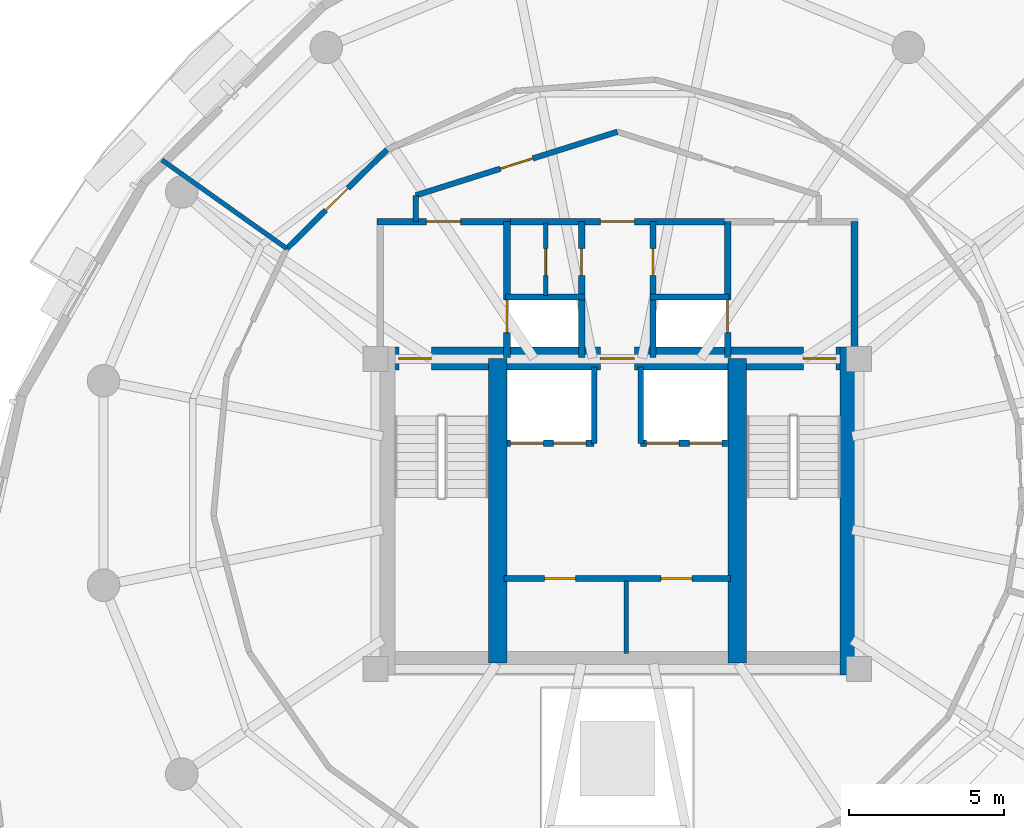
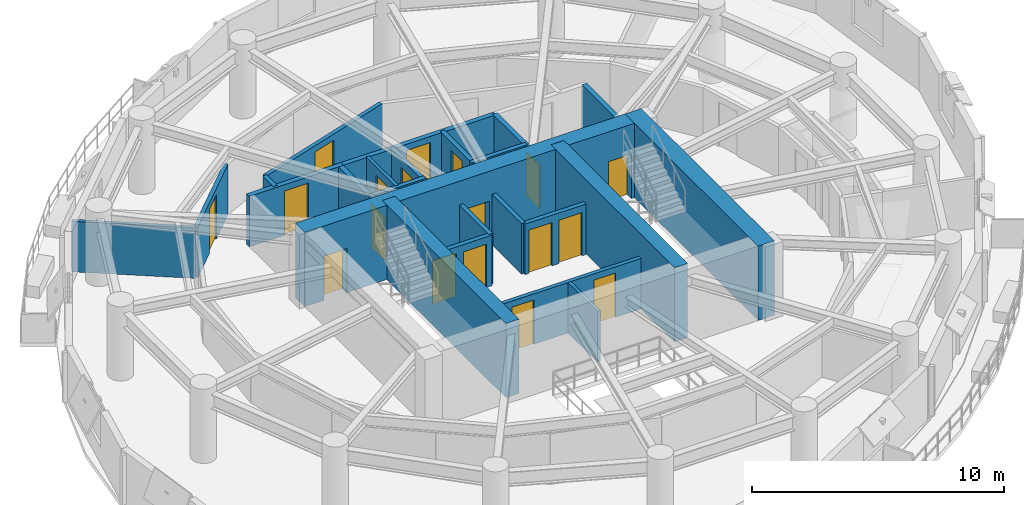
# One storey, part 8 of 12: 24 walls, 18 doors, 18 openings.
"""IFC4 building model written with IfcOpenShell, lengths in metres."""

import ifcopenshell
import ifcopenshell.guid

model = None  # the IFC model being written
_history = None  # IfcOwnerHistory: only IFC2X3 demands one
_inside = {}  # id of a spatial element -> (the spatial element, [elements in it])
_under = {}  # id of a project, library or spatial element -> (it, [spatial elements below it])
_declared = {}  # id of a project -> (the project, [libraries it declares])
_typed = {}  # id of a type object -> (the type object, [elements of that type])
_made_of = {}  # id of a material, layer set ... -> (it, [elements and type objects made of it])


def new_model(schema):
    """Start an empty IFC model of exactly this schema.

    Asked for "IFC4X3", IfcOpenShell would pick the latest addendum, in which some entities
    have other attributes; the version numbers below select the first issue.
    IFC2X3 requires an IfcOwnerHistory on every rooted entity: one is made here for all.
    """
    global model, _history
    if schema == "IFC4X3":
        model = ifcopenshell.file(schema_version=(4, 3, 0, 0))
    else:
        model = ifcopenshell.file(schema=schema)
    _inside.clear()
    _under.clear()
    _declared.clear()
    _typed.clear()
    _made_of.clear()
    _history = None
    if model.schema == "IFC2X3":
        org = make("IfcOrganization", Name="unknown")
        user = make(
            "IfcPersonAndOrganization",
            ThePerson=make("IfcPerson", FamilyName="unknown"),
            TheOrganization=org,
        )
        app = make(
            "IfcApplication",
            ApplicationDeveloper=org,
            Version="unknown",
            ApplicationFullName="unknown",
            ApplicationIdentifier="unknown",
        )
        _history = make(
            "IfcOwnerHistory",
            OwningUser=user,
            OwningApplication=app,
            ChangeAction="ADDED",
            CreationDate=0,
        )
    return model


def make(cls, **values):
    """One entity of the class cls with the attributes given. An attribute that is None is left unset."""
    return model.create_entity(
        cls, **{name: value for name, value in values.items() if value is not None}
    )


def rooted(cls, **values):
    """An entity with a GlobalId (a new one), such as an element, a storey or a relation."""
    return make(cls, GlobalId=ifcopenshell.guid.new(), OwnerHistory=_history, **values)


def si_unit(unit_type, name, prefix=None):
    """IfcSIUnit, for example si_unit("LENGTHUNIT", "METRE", prefix="MILLI")."""
    return make("IfcSIUnit", UnitType=unit_type, Prefix=prefix, Name=name)


def assignment(units):
    """IfcUnitAssignment: the units of a project."""
    return None if units is None else make("IfcUnitAssignment", Units=units)


def point(xyz):
    """IfcCartesianPoint."""
    return None if xyz is None else make("IfcCartesianPoint", Coordinates=xyz)


def direction(xyz):
    """IfcDirection."""
    return None if xyz is None else make("IfcDirection", DirectionRatios=xyz)


def frame(location, z_axis=None, x_axis=None):
    """IfcAxis2Placement3D, a coordinate frame: its origin and axes. An axis left out is left unset."""
    return make(
        "IfcAxis2Placement3D",
        Location=point(location),
        Axis=direction(z_axis),
        RefDirection=direction(x_axis),
    )


def frame_2d(location, x_axis=None):
    """IfcAxis2Placement2D, a coordinate frame in the plane: its origin and x axis."""
    return make(
        "IfcAxis2Placement2D", Location=point(location), RefDirection=direction(x_axis)
    )


def origin():
    """The frame at (0, 0, 0) with its axes left unset."""
    return frame((0.0, 0.0, 0.0))


def place(relative_to, where):
    """IfcLocalPlacement: puts the frame where relative to a parent placement (None: the world)."""
    return make(
        "IfcLocalPlacement", PlacementRelTo=relative_to, RelativePlacement=where
    )


def context(
    kind, dimensions, precision=None, world=None, true_north=None, identifier=None
):
    """IfcGeometricRepresentationContext, for example the 3D "Model" context."""
    return make(
        "IfcGeometricRepresentationContext",
        ContextIdentifier=identifier,
        ContextType=kind,
        CoordinateSpaceDimension=dimensions,
        Precision=precision,
        WorldCoordinateSystem=world,
        TrueNorth=true_north,
    )


def subcontext(parent, identifier, kind, view, scale=None):
    """IfcGeometricRepresentationSubContext, for example "Body" below "Model"."""
    return make(
        "IfcGeometricRepresentationSubContext",
        ContextIdentifier=identifier,
        ContextType=kind,
        ParentContext=parent,
        TargetScale=scale,
        TargetView=view,
    )


def project(units=None, contexts=None):
    """IfcProject with its units and contexts."""
    return rooted(
        "IfcProject",
        Name="project",
        RepresentationContexts=contexts,
        UnitsInContext=assignment(units),
    )


def spatial(cls, under=None, at=None, **own):
    """A site, building, storey or space (cls), placed at a placement, below another one or the project."""
    s = rooted(cls, ObjectPlacement=at, **own)
    if under is not None:
        _under.setdefault(under.id(), (under, []))[1].append(s)
    return s


def profile(cls, at=None, kind="AREA", **sizes):
    """A parametric profile (cls). Its sizes go by their IFC names, for example OverallWidth=200.0."""
    return make(cls, ProfileType=kind, Position=at, **sizes)


def rectangle(**sizes):
    """IfcRectangleProfileDef."""
    return profile("IfcRectangleProfileDef", **sizes)


def extrude(swept, where, along, depth):
    """IfcExtrudedAreaSolid: the profile swept, set in the frame where, extruded along a direction by depth."""
    return make(
        "IfcExtrudedAreaSolid",
        SweptArea=swept,
        Position=where,
        ExtrudedDirection=direction(along),
        Depth=depth,
    )


def shape(context_of_items, identifier, shape_type, items):
    """IfcShapeRepresentation: the items that make up one representation, for example the "Body"."""
    return make(
        "IfcShapeRepresentation",
        ContextOfItems=context_of_items,
        RepresentationIdentifier=identifier,
        RepresentationType=shape_type,
        Items=items,
    )


def material(Name=None, Category=None):
    """IfcMaterial."""
    return make("IfcMaterial", Name=Name, Category=Category)


def layer(
    of_material, thickness, ventilated=None, Name=None, Category=None, Priority=None
):
    """IfcMaterialLayer: one layer of a wall or slab, of a material (None: an air gap)."""
    return make(
        "IfcMaterialLayer",
        Material=of_material,
        LayerThickness=thickness,
        IsVentilated=ventilated,
        Name=Name,
        Category=Category,
        Priority=Priority,
    )


def layer_set(layers, Name=None):
    """IfcMaterialLayerSet."""
    return make("IfcMaterialLayerSet", MaterialLayers=layers, LayerSetName=Name)


def made_of(thing, what):
    """Note that an element or type object is made of a material, layer set ...; save() writes the relation."""
    if what is not None:
        _made_of.setdefault(what.id(), (what, []))[1].append(thing)
    return thing


def type_object(cls, material=None, **own):
    """A type object (cls), such as IfcWallType, which elements share."""
    return made_of(rooted(cls, **own), material)


def element(
    cls,
    number,
    at=None,
    inside=None,
    cuts=None,
    type_object=None,
    material=None,
    context=None,
    identifier="Body",
    shape_type=None,
    held_by="IfcProductDefinitionShape",
    body=None,
    shapes=None,
    **own,
):
    """One element of the class cls, such as IfcWall. Its Tag is "e" and its number.

    at: its placement. inside: the storey or other place that contains it. cuts: it is an
    opening in that element (IfcRelVoidsElement). A single representation is given by context,
    identifier, shape_type and body (its items); several are given by shapes. held_by: the class
    of the entity that holds the representations. save() writes the other relations.
    """
    e = rooted(cls, Tag="e%d" % number, ObjectPlacement=at, **own)
    if body is not None:
        shapes = [shape(context, identifier, shape_type, body)]
    if shapes is not None:
        e.Representation = make(held_by, Representations=shapes)
    if inside is not None:
        _inside.setdefault(inside.id(), (inside, []))[1].append(e)
    if cuts is not None:
        rooted(
            "IfcRelVoidsElement", RelatingBuildingElement=cuts, RelatedOpeningElement=e
        )
    if type_object is not None:
        _typed.setdefault(type_object.id(), (type_object, []))[1].append(e)
    return made_of(e, material)


def fill(opening, filler):
    """IfcRelFillsElement: the door or window that sits in an opening."""
    return rooted(
        "IfcRelFillsElement",
        RelatingOpeningElement=opening,
        RelatedBuildingElement=filler,
    )


def aggregate(whole, parts):
    """IfcRelAggregates: a whole, such as a stair, and the parts it consists of."""
    return rooted("IfcRelAggregates", RelatingObject=whole, RelatedObjects=parts)


def save(model, path):
    """Write the relations noted so far, then the file.

    IfcRelAggregates (storeys below a building ...), IfcRelContainedInSpatialStructure (elements
    in a storey), IfcRelDefinesByType, IfcRelAssociatesMaterial and IfcRelDeclares: one each for
    every whole, place, type object, material and project.
    """
    for whole, parts in _under.values():
        aggregate(whole, parts)
    for where, things in _inside.values():
        rooted(
            "IfcRelContainedInSpatialStructure",
            RelatedElements=things,
            RelatingStructure=where,
        )
    for kind, things in _typed.values():
        rooted("IfcRelDefinesByType", RelatedObjects=things, RelatingType=kind)
    for what, things in _made_of.values():
        rooted("IfcRelAssociatesMaterial", RelatedObjects=things, RelatingMaterial=what)
    for by, libraries in _declared.values():
        rooted("IfcRelDeclares", RelatingContext=by, RelatedDefinitions=libraries)
    model.write(path)


model = new_model("IFC4")

# Units and contexts
model_context = context("Model", 3, precision=1e-05, world=origin(), true_north=direction((0.0, 1.0)))
body_context = subcontext(model_context, "Body", "Model", "MODEL_VIEW")
ifc_project = project(units=[si_unit("LENGTHUNIT", "METRE"), si_unit("AREAUNIT", "SQUARE_METRE"), si_unit("VOLUMEUNIT", "CUBIC_METRE"), si_unit("PLANEANGLEUNIT", "RADIAN"), si_unit("MASSUNIT", "GRAM", prefix="KILO"), si_unit("THERMODYNAMICTEMPERATUREUNIT", "KELVIN"), si_unit("POWERUNIT", "WATT")], contexts=[model_context])

# Site, building, storey
site_placement = place(None, origin())
site = spatial("IfcSite", under=ifc_project, at=site_placement, CompositionType="ELEMENT")
building_placement = place(site_placement, origin())
building = spatial("IfcBuilding", under=site, at=building_placement, Name="Ocrelia Relay Tower", CompositionType="ELEMENT")
storey_placement = place(building_placement, frame((0.0, 0.0, 216.800048828125)))
storey = spatial("IfcBuildingStorey", under=building, at=storey_placement, Name="L53", CompositionType="ELEMENT", Elevation=216.800048828125)

# Wall, openings, doors
ifc_material_1 = material(Name="Concrete C60/75", Category="concrete")
ifc_layer_1 = layer(ifc_material_1, 0.75, Name="Concrete C60/75")
ifc_layer_set_1 = layer_set([ifc_layer_1], Name="Concrete C60/75")
wall_type_1 = type_object("IfcWallType", Name="CW-CORE-750", PredefinedType="SHEAR", material=ifc_layer_set_1)
wall_1_placement = place(storey_placement, frame((26.072021484375, 30.012939453125, 0.0), z_axis=(0.0, 0.0, 1.0), x_axis=(1.0, 0.0, 0.0)))
wall_1 = element("IfcWall", 1, at=wall_1_placement, inside=storey, type_object=wall_type_1, Name="L53 Core Shear Wall N", PredefinedType="SHEAR", context=body_context, shape_type="SweptSolid", body=[
    extrude(rectangle(XDim=15.865966796875, YDim=0.75, at=frame_2d((7.93310546875, 0.0))), origin(), (0.0, 0.0, 1.0), 3.599853515625),
])
opening_1_placement = place(wall_1_placement, frame((0.8779296875, 0.0, 0.0)))
opening_1 = element("IfcOpeningElement", 2, at=opening_1_placement, cuts=wall_1, Name="Opening D-FD90", PredefinedType="OPENING", context=body_context, shape_type="SweptSolid", body=[
    extrude(rectangle(XDim=1.050048828125, YDim=2.14990234375, at=frame_2d((0.52490234375, 1.074951171875))), frame((0.0, 0.385009765625, 0.0), z_axis=(0.0, -1.0, 0.0), x_axis=(1.0, 0.0, 0.0)), (0.0, 0.0, 1.0), 0.77001953125),
])
opening_2_placement = place(wall_1_placement, frame((13.927978515625, 0.0, 0.0)))
opening_2 = element("IfcOpeningElement", 3, at=opening_2_placement, cuts=wall_1, Name="Opening D-FD90", PredefinedType="OPENING", context=body_context, shape_type="SweptSolid", body=[
    extrude(rectangle(XDim=1.050048828125, YDim=2.14990234375, at=frame_2d((0.52490234375, 1.074951171875))), frame((0.0, 0.385009765625, 0.0), z_axis=(0.0, -1.0, 0.0), x_axis=(1.0, 0.0, 0.0)), (0.0, 0.0, 1.0), 0.77001953125),
])
opening_3_placement = place(wall_1_placement, frame((7.3779296875, 0.0, 0.0)))
opening_3 = element("IfcOpeningElement", 4, at=opening_3_placement, cuts=wall_1, Name="Opening D-FD60", PredefinedType="OPENING", context=body_context, shape_type="SweptSolid", body=[
    extrude(rectangle(XDim=1.10009765625, YDim=2.14990234375, at=frame_2d((0.550048828125, 1.074951171875))), frame((0.0, 0.385009765625, 0.0), z_axis=(0.0, -1.0, 0.0), x_axis=(1.0, 0.0, 0.0)), (0.0, 0.0, 1.0), 0.77001953125),
])
ifc_material_2 = material(Name="Timber-core 60-min acoustic fire door", Category="wood")
door_type_1 = type_object("IfcDoorType", Name="DR-LOBBY-FD60-1100", OperationType="NOTDEFINED", PredefinedType="DOOR", material=ifc_material_2)
door_1_placement = place(opening_3_placement, origin())
door_1 = element("IfcDoor", 5, at=door_1_placement, inside=storey, type_object=door_type_1, Name="L53 Core Lift Lobby North Fire Door", OperationType="SINGLE_SWING_LEFT", OverallHeight=2.14990234375, OverallWidth=1.10009765625, PredefinedType="DOOR", context=body_context, shape_type="SweptSolid", body=[
    extrude(rectangle(XDim=1.10009765625, YDim=2.14990234375, at=frame_2d((0.550048828125, 1.074951171875))), frame((0.0, 0.02490234375, 0.0), z_axis=(0.0, -1.0, 0.0), x_axis=(1.0, 0.0, 0.0)), (0.0, 0.0, 1.0), 0.050048828125),
])
fill(opening_3, door_1)
ifc_material_3 = material(Name="Steel S355 90-min fire door", Category="steel")
door_type_2 = type_object("IfcDoorType", Name="DR-STAIR-FD90-1050", OperationType="NOTDEFINED", PredefinedType="DOOR", material=ifc_material_3)
door_2_placement = place(opening_1_placement, origin())
door_2 = element("IfcDoor", 6, at=door_2_placement, inside=storey, type_object=door_type_2, Name="L53 Stair ST1 Fire Door", OperationType="SINGLE_SWING_LEFT", OverallHeight=2.14990234375, OverallWidth=1.050048828125, PredefinedType="DOOR", context=body_context, shape_type="SweptSolid", body=[
    extrude(rectangle(XDim=1.050048828125, YDim=2.14990234375, at=frame_2d((0.52490234375, 1.074951171875))), frame((0.0, 0.02490234375, 0.0), z_axis=(0.0, -1.0, 0.0), x_axis=(1.0, 0.0, 0.0)), (0.0, 0.0, 1.0), 0.050048828125),
])
fill(opening_1, door_2)
door_3_placement = place(opening_2_placement, origin())
door_3 = element("IfcDoor", 7, at=door_3_placement, inside=storey, type_object=door_type_2, Name="L53 Stair ST2 Fire Door", OperationType="SINGLE_SWING_RIGHT", OverallHeight=2.14990234375, OverallWidth=1.050048828125, PredefinedType="DOOR", context=body_context, shape_type="SweptSolid", body=[
    extrude(rectangle(XDim=1.050048828125, YDim=2.14990234375, at=frame_2d((0.52490234375, 1.074951171875))), frame((0.0, 0.02490234375, 0.0), z_axis=(0.0, -1.0, 0.0), x_axis=(1.0, 0.0, 0.0)), (0.0, 0.0, 1.0), 0.050048828125),
])
fill(opening_2, door_3)

# Walls
wall_2_placement = place(storey_placement, frame((41.56298828125, 19.81201171875, 0.0), z_axis=(0.0, 0.0, 1.0), x_axis=(0.0, 1.0, 0.0)))
element("IfcWall", 8, at=wall_2_placement, inside=storey, type_object=wall_type_1, Name="L53 Core Shear Wall E", PredefinedType="SHEAR", context=body_context, shape_type="SweptSolid", body=[
    extrude(rectangle(XDim=10.575927734375, YDim=0.75, at=frame_2d((5.2880859375, 0.0))), origin(), (0.0, 0.0, 1.0), 3.599853515625),
])
for number, where, z_axis, x_axis, name in (
    (9, (30.137939453125, 20.18701171875, 0.0), (0.0, 0.0, 1.0), (0.0, 1.0, 0.0), "L53 Core Shear Wall SPW"),
    (10, (37.8720703125, 20.18701171875, 0.0), (0.0, 0.0, 1.0), (0.0, 1.0, 0.0), "L53 Core Shear Wall SPE"),
):
    element("IfcWall", number, at=place(storey_placement, frame(where, z_axis=z_axis, x_axis=x_axis)), inside=storey, type_object=wall_type_1, Name=name, PredefinedType="SHEAR", context=body_context, shape_type="SweptSolid", body=[
        extrude(rectangle(XDim=9.825927734375, YDim=0.60009765625, at=frame_2d((4.9130859375, 0.0))), origin(), (0.0, 0.0, 1.0), 3.599853515625),
    ])

# Wall, openings, doors
ifc_material_4 = material(Name="Gypsum Fireboard Partition EI60", Category="gypsum")
ifc_layer_2 = layer(ifc_material_4, 0.179931640625, Name="Gypsum Fireboard Partition EI60")
ifc_layer_set_2 = layer_set([ifc_layer_2], Name="Gypsum Fireboard Partition EI60")
wall_type_2 = type_object("IfcWallType", Name="W-CORR-EI60-180", PredefinedType="PARTITIONING", material=ifc_layer_set_2)
wall_3_placement = place(storey_placement, frame((30.35009765625, 22.919921875, 0.0), z_axis=(0.0, 0.0, 1.0), x_axis=(1.0, 0.0, 0.0)))
wall_3 = element("IfcWall", 11, at=wall_3_placement, inside=storey, type_object=wall_type_2, Name="L53 Reclaimed Core Room Partition", PredefinedType="PARTITIONING", context=body_context, shape_type="SweptSolid", body=[
    extrude(rectangle(XDim=7.2998046875, YDim=0.179931640625, at=frame_2d((3.64990234375, 0.0))), origin(), (0.0, 0.0, 1.0), 2.449951171875),
])
opening_4_placement = place(wall_3_placement, frame((1.300048828125, 0.0, 0.0)))
opening_4 = element("IfcOpeningElement", 12, at=opening_4_placement, cuts=wall_3, Name="Opening D-RM100", PredefinedType="OPENING", context=body_context, shape_type="SweptSolid", body=[
    extrude(rectangle(XDim=1.0, YDim=2.14990234375, at=frame_2d((0.5, 1.074951171875))), frame((0.0, 0.10009765625, 0.0), z_axis=(0.0, -1.0, 0.0), x_axis=(1.0, 0.0, 0.0)), (0.0, 0.0, 1.0), 0.199951171875),
])
opening_5_placement = place(wall_3_placement, frame((5.050048828125, 0.0, 0.0)))
opening_5 = element("IfcOpeningElement", 13, at=opening_5_placement, cuts=wall_3, Name="Opening D-RM100", PredefinedType="OPENING", context=body_context, shape_type="SweptSolid", body=[
    extrude(rectangle(XDim=1.0, YDim=2.14990234375, at=frame_2d((0.5, 1.074951171875))), frame((0.0, 0.10009765625, 0.0), z_axis=(0.0, -1.0, 0.0), x_axis=(1.0, 0.0, 0.0)), (0.0, 0.0, 1.0), 0.199951171875),
])
ifc_material_5 = material(Name="Acoustic oak veneer fire door", Category="wood")
door_type_3 = type_object("IfcDoorType", Name="DR-ROOM-FD60-1000", OperationType="NOTDEFINED", PredefinedType="DOOR", material=ifc_material_5)
door_4_placement = place(opening_4_placement, origin())
door_4 = element("IfcDoor", 14, at=door_4_placement, inside=storey, type_object=door_type_3, Name="L53 Reclaimed Core Room 1 Door", OperationType="SINGLE_SWING_RIGHT", OverallHeight=2.14990234375, OverallWidth=1.0, PredefinedType="DOOR", context=body_context, shape_type="SweptSolid", body=[
    extrude(rectangle(XDim=1.0, YDim=2.14990234375, at=frame_2d((0.5, 1.074951171875))), frame((0.0, 0.02490234375, 0.0), z_axis=(0.0, -1.0, 0.0), x_axis=(1.0, 0.0, 0.0)), (0.0, 0.0, 1.0), 0.050048828125),
])
fill(opening_4, door_4)
door_5_placement = place(opening_5_placement, origin())
door_5 = element("IfcDoor", 15, at=door_5_placement, inside=storey, type_object=door_type_3, Name="L53 Reclaimed Core Room 2 Door", OperationType="SINGLE_SWING_LEFT", OverallHeight=2.14990234375, OverallWidth=1.0, PredefinedType="DOOR", context=body_context, shape_type="SweptSolid", body=[
    extrude(rectangle(XDim=1.0, YDim=2.14990234375, at=frame_2d((0.5, 1.074951171875))), frame((0.0, 0.02490234375, 0.0), z_axis=(0.0, -1.0, 0.0), x_axis=(1.0, 0.0, 0.0)), (0.0, 0.0, 1.0), 0.050048828125),
])
fill(opening_5, door_5)

# Wall
wall_4_placement = place(storey_placement, frame((27.5, 34.429931640625, 0.0), z_axis=(0.0, 0.0, 1.0), x_axis=(0.0, 1.0, 0.0)))
element("IfcWall", 16, at=wall_4_placement, inside=storey, type_object=wall_type_2, Name="L53 Smoke Lobby West Return", PredefinedType="PARTITIONING", context=body_context, shape_type="SweptSolid", body=[
    extrude(rectangle(XDim=0.85009765625, YDim=0.179931640625, at=frame_2d((0.425048828125, 0.0))), origin(), (0.0, 0.0, 1.0), 2.449951171875),
])

# Wall, opening, door
wall_5_placement = place(storey_placement, frame((27.5, 35.280029296875, 0.0), z_axis=(0.0, 0.0, 1.0), x_axis=(0.953691418528, 0.300786765376, 0.0)))
wall_5 = element("IfcWall", 17, at=wall_5_placement, inside=storey, type_object=wall_type_2, Name="L53 North Smoke Lobby W Screen Wall", PredefinedType="PARTITIONING", context=body_context, shape_type="SweptSolid", body=[
    extrude(rectangle(XDim=6.815673828125, YDim=0.179931640625, at=frame_2d((3.40771484375, 0.0))), origin(), (0.0, 0.0, 1.0), 2.449951171875),
])
opening_6_placement = place(wall_5_placement, frame((2.85791015625, 0.0, 0.0)))
opening_6 = element("IfcOpeningElement", 18, at=opening_6_placement, cuts=wall_5, Name="Opening D-FD60", PredefinedType="OPENING", context=body_context, shape_type="SweptSolid", body=[
    extrude(rectangle(XDim=1.10009765625, YDim=2.14990234375, at=frame_2d((0.550048828125, 1.074951171875))), frame((0.0, 0.10009765625, 0.0), z_axis=(0.0, -1.0, 0.0), x_axis=(1.0, 0.0, 0.0)), (0.0, 0.0, 1.0), 0.199951171875),
])
door_6_placement = place(opening_6_placement, origin())
door_6 = element("IfcDoor", 19, at=door_6_placement, inside=storey, type_object=door_type_1, Name="L53 North Smoke Lobby W Fire Door", OperationType="SINGLE_SWING_RIGHT", OverallHeight=2.14990234375, OverallWidth=1.10009765625, PredefinedType="DOOR", context=body_context, shape_type="SweptSolid", body=[
    extrude(rectangle(XDim=1.10009765625, YDim=2.14990234375, at=frame_2d((0.550048828125, 1.074951171875))), frame((0.0, 0.02490234375, 0.0), z_axis=(0.0, -1.0, 0.0), x_axis=(1.0, 0.0, 0.0)), (0.0, 0.0, 1.0), 0.050048828125),
])
fill(opening_6, door_6)

wall_6_placement = place(storey_placement, frame((26.56884765625, 36.751953125, 0.0), z_axis=(0.0, 0.0, 1.0), x_axis=(-0.711423272881, -0.702763777384, 0.0)))
wall_6 = element("IfcWall", 20, at=wall_6_placement, inside=storey, type_object=wall_type_2, Name="L53 Staff Dining Canteen Corridor Partition 5", PredefinedType="PARTITIONING", context=body_context, shape_type="SweptSolid", body=[
    extrude(rectangle(XDim=4.5390625, YDim=0.179931640625, at=frame_2d((2.26953125, 0.0))), origin(), (0.0, 0.0, 1.0), 2.449951171875),
])
opening_7_placement = place(wall_6_placement, frame((1.76953125, 0.0, 0.0)))
opening_7 = element("IfcOpeningElement", 21, at=opening_7_placement, cuts=wall_6, Name="Opening D-RM100", PredefinedType="OPENING", context=body_context, shape_type="SweptSolid", body=[
    extrude(rectangle(XDim=1.0, YDim=2.14990234375, at=frame_2d((0.5, 1.074951171875))), frame((0.0, 0.10009765625, 0.0), z_axis=(0.0, -1.0, 0.0), x_axis=(1.0, 0.0, 0.0)), (0.0, 0.0, 1.0), 0.199951171875),
])
door_7_placement = place(opening_7_placement, origin())
door_7 = element("IfcDoor", 22, at=door_7_placement, inside=storey, type_object=door_type_3, Name="L53 Staff Dining Canteen Entrance Door", OperationType="SINGLE_SWING_LEFT", OverallHeight=2.14990234375, OverallWidth=1.0, PredefinedType="DOOR", context=body_context, shape_type="SweptSolid", body=[
    extrude(rectangle(XDim=1.0, YDim=2.14990234375, at=frame_2d((0.5, 1.074951171875))), frame((0.0, 0.02490234375, 0.0), z_axis=(0.0, -1.0, 0.0), x_axis=(1.0, 0.0, 0.0)), (0.0, 0.0, 1.0), 0.050048828125),
])
fill(opening_7, door_7)

ifc_material_6 = material(Name="Concrete C50/60", Category="concrete")
ifc_layer_3 = layer(ifc_material_6, 0.219970703125, Name="Concrete C50/60")
ifc_layer_set_3 = layer_set([ifc_layer_3], Name="Concrete C50/60")
wall_type_3 = type_object("IfcWallType", Name="W-FFL-EI120-220", PredefinedType="SOLIDWALL", material=ifc_layer_set_3)
wall_7_placement = place(storey_placement, frame((30.43994140625, 30.050048828125, 0.0), z_axis=(0.0, 0.0, 1.0), x_axis=(0.0, 1.0, 0.0)))
wall_7 = element("IfcWall", 23, at=wall_7_placement, inside=storey, type_object=wall_type_3, Name="L53 W Fire Service Lift Lobby East Wall", PredefinedType="SOLIDWALL", context=body_context, shape_type="SweptSolid", body=[
    extrude(rectangle(XDim=4.3798828125, YDim=0.219970703125, at=frame_2d((2.18994140625, 0.0))), origin(), (0.0, 0.0, 1.0), 2.449951171875),
])
opening_8_placement = place(wall_7_placement, frame((0.800048828125, 0.0, 0.0)))
opening_8 = element("IfcOpeningElement", 24, at=opening_8_placement, cuts=wall_7, Name="Opening LD-FFL1", PredefinedType="OPENING", context=body_context, shape_type="SweptSolid", body=[
    extrude(rectangle(XDim=1.050048828125, YDim=2.10009765625, at=frame_2d((0.52490234375, 1.050048828125))), frame((0.0, 0.1201171875, 0.0), z_axis=(0.0, -1.0, 0.0), x_axis=(1.0, 0.0, 0.0)), (0.0, 0.0, 1.0), 0.239990234375),
])
ifc_material_7 = material(Name="Brushed stainless steel S355 lift landing door", Category="steel")
door_type_4 = type_object("IfcDoorType", Name="DR-LIFT-LAND-1050", OperationType="DOUBLE_DOOR_SLIDING", PredefinedType="USERDEFINED", material=ifc_material_7)
door_8_placement = place(opening_8_placement, origin())
door_8 = element("IfcDoor", 25, at=door_8_placement, inside=storey, type_object=door_type_4, Name="L53 Firefighting Lift FFL1 Sliding Landing Door", ObjectType="LANDING DOOR", OperationType="DOUBLE_DOOR_SLIDING", OverallHeight=2.10009765625, OverallWidth=1.050048828125, PredefinedType="USERDEFINED", context=body_context, shape_type="SweptSolid", body=[
    extrude(rectangle(XDim=1.050048828125, YDim=2.10009765625, at=frame_2d((0.52490234375, 1.050048828125))), frame((0.0, 0.02490234375, 0.0), z_axis=(0.0, -1.0, 0.0), x_axis=(1.0, 0.0, 0.0)), (0.0, 0.0, 1.0), 0.050048828125),
])
fill(opening_8, door_8)

wall_8_placement = place(storey_placement, frame((26.239990234375, 34.429931640625, 0.0), z_axis=(0.0, 0.0, 1.0), x_axis=(1.0, 0.0, 0.0)))
wall_8 = element("IfcWall", 26, at=wall_8_placement, inside=storey, type_object=wall_type_3, Name="L53 W Fire Service Lift Lobby North Wall", PredefinedType="SOLIDWALL", context=body_context, shape_type="SweptSolid", body=[
    extrude(rectangle(XDim=4.31005859375, YDim=0.219970703125, at=frame_2d((2.155029296875, 0.0))), origin(), (0.0, 0.0, 1.0), 2.449951171875),
])
opening_9_placement = place(wall_8_placement, frame((1.60009765625, 0.0, 0.0)))
opening_9 = element("IfcOpeningElement", 27, at=opening_9_placement, cuts=wall_8, Name="Opening D-FD60", PredefinedType="OPENING", context=body_context, shape_type="SweptSolid", body=[
    extrude(rectangle(XDim=1.10009765625, YDim=2.14990234375, at=frame_2d((0.550048828125, 1.074951171875))), frame((0.0, 0.1201171875, 0.0), z_axis=(0.0, -1.0, 0.0), x_axis=(1.0, 0.0, 0.0)), (0.0, 0.0, 1.0), 0.239990234375),
])
door_9_placement = place(opening_9_placement, origin())
door_9 = element("IfcDoor", 28, at=door_9_placement, inside=storey, type_object=door_type_1, Name="L53 W Fire Service Lift Lobby Exit Door", OperationType="SINGLE_SWING_RIGHT", OverallHeight=2.14990234375, OverallWidth=1.10009765625, PredefinedType="DOOR", context=body_context, shape_type="SweptSolid", body=[
    extrude(rectangle(XDim=1.10009765625, YDim=2.14990234375, at=frame_2d((0.550048828125, 1.074951171875))), frame((0.0, 0.02490234375, 0.0), z_axis=(0.0, -1.0, 0.0), x_axis=(1.0, 0.0, 0.0)), (0.0, 0.0, 1.0), 0.050048828125),
])
fill(opening_9, door_9)

wall_9_placement = place(storey_placement, frame((37.56005859375, 30.050048828125, 0.0), z_axis=(0.0, 0.0, 1.0), x_axis=(0.0, 1.0, 0.0)))
wall_9 = element("IfcWall", 29, at=wall_9_placement, inside=storey, type_object=wall_type_3, Name="L53 E Fire Service Lift Lobby West Wall", PredefinedType="SOLIDWALL", context=body_context, shape_type="SweptSolid", body=[
    extrude(rectangle(XDim=4.3798828125, YDim=0.219970703125, at=frame_2d((2.18994140625, 0.0))), origin(), (0.0, 0.0, 1.0), 2.449951171875),
])
opening_10_placement = place(wall_9_placement, frame((0.800048828125, 0.0, 0.0)))
opening_10 = element("IfcOpeningElement", 30, at=opening_10_placement, cuts=wall_9, Name="Opening LD-FFL2", PredefinedType="OPENING", context=body_context, shape_type="SweptSolid", body=[
    extrude(rectangle(XDim=1.050048828125, YDim=2.10009765625, at=frame_2d((0.52490234375, 1.050048828125))), frame((0.0, 0.1201171875, 0.0), z_axis=(0.0, -1.0, 0.0), x_axis=(1.0, 0.0, 0.0)), (0.0, 0.0, 1.0), 0.239990234375),
])
door_10_placement = place(opening_10_placement, origin())
door_10 = element("IfcDoor", 31, at=door_10_placement, inside=storey, type_object=door_type_4, Name="L53 Firefighting Lift FFL2 Sliding Landing Door", ObjectType="LANDING DOOR", OperationType="DOUBLE_DOOR_SLIDING", OverallHeight=2.10009765625, OverallWidth=1.050048828125, PredefinedType="USERDEFINED", context=body_context, shape_type="SweptSolid", body=[
    extrude(rectangle(XDim=1.050048828125, YDim=2.10009765625, at=frame_2d((0.52490234375, 1.050048828125))), frame((0.0, 0.02490234375, 0.0), z_axis=(0.0, -1.0, 0.0), x_axis=(1.0, 0.0, 0.0)), (0.0, 0.0, 1.0), 0.050048828125),
])
fill(opening_10, door_10)

# Wall
wall_10_placement = place(storey_placement, frame((41.64990234375, 30.050048828125, 0.0), z_axis=(0.0, 0.0, 1.0), x_axis=(0.0, 1.0, 0.0)))
element("IfcWall", 32, at=wall_10_placement, inside=storey, type_object=wall_type_3, Name="L53 E Fire Service Lift Lobby East Wall", PredefinedType="SOLIDWALL", context=body_context, shape_type="SweptSolid", body=[
    extrude(rectangle(XDim=4.3798828125, YDim=0.219970703125, at=frame_2d((2.18994140625, 0.0))), origin(), (0.0, 0.0, 1.0), 2.449951171875),
])

# Wall, opening, door
wall_11_placement = place(storey_placement, frame((30.43994140625, 34.429931640625, 0.0), z_axis=(0.0, 0.0, 1.0), x_axis=(1.0, 0.0, 0.0)))
wall_11 = element("IfcWall", 33, at=wall_11_placement, inside=storey, type_object=wall_type_3, Name="L53 North Core Vestibule Wall", PredefinedType="SOLIDWALL", context=body_context, shape_type="SweptSolid", body=[
    extrude(rectangle(XDim=7.1201171875, YDim=0.219970703125, at=frame_2d((3.56005859375, 0.0))), origin(), (0.0, 0.0, 1.0), 2.449951171875),
])
opening_11_placement = place(wall_11_placement, frame((3.010009765625, 0.0, 0.0)))
opening_11 = element("IfcOpeningElement", 34, at=opening_11_placement, cuts=wall_11, Name="Opening D-FD60", PredefinedType="OPENING", context=body_context, shape_type="SweptSolid", body=[
    extrude(rectangle(XDim=1.10009765625, YDim=2.14990234375, at=frame_2d((0.550048828125, 1.074951171875))), frame((0.0, 0.1201171875, 0.0), z_axis=(0.0, -1.0, 0.0), x_axis=(1.0, 0.0, 0.0)), (0.0, 0.0, 1.0), 0.239990234375),
])
door_11_placement = place(opening_11_placement, origin())
door_11 = element("IfcDoor", 35, at=door_11_placement, inside=storey, type_object=door_type_1, Name="L53 North Core Vestibule Corridor Door", OperationType="SINGLE_SWING_RIGHT", OverallHeight=2.14990234375, OverallWidth=1.10009765625, PredefinedType="DOOR", context=body_context, shape_type="SweptSolid", body=[
    extrude(rectangle(XDim=1.10009765625, YDim=2.14990234375, at=frame_2d((0.550048828125, 1.074951171875))), frame((0.0, 0.02490234375, 0.0), z_axis=(0.0, -1.0, 0.0), x_axis=(1.0, 0.0, 0.0)), (0.0, 0.0, 1.0), 0.050048828125),
])
fill(opening_11, door_11)

ifc_material_8 = material(Name="Acoustic Fireboard Partition EI60", Category="gypsum")
ifc_layer_4 = layer(ifc_material_8, 0.14990234375, Name="Acoustic Fireboard Partition EI60")
ifc_layer_set_4 = layer_set([ifc_layer_4], Name="Acoustic Fireboard Partition EI60")
wall_type_4 = type_object("IfcWallType", Name="W-PART-150", PredefinedType="PARTITIONING", material=ifc_layer_set_4)
wall_12_placement = place(storey_placement, frame((31.68994140625, 32.050048828125, 0.0), z_axis=(0.0, 0.0, 1.0), x_axis=(0.0, 1.0, 0.0)))
wall_12 = element("IfcWall", 36, at=wall_12_placement, inside=storey, type_object=wall_type_4, Name="L53 West Core Support Partition", PredefinedType="PARTITIONING", context=body_context, shape_type="SweptSolid", body=[
    extrude(rectangle(XDim=2.329833984375, YDim=0.14990234375, at=frame_2d((1.1650390625, 0.0))), origin(), (0.0, 0.0, 1.0), 2.449951171875),
])
opening_12_placement = place(wall_12_placement, frame((0.64990234375, 0.0, 0.0)))
opening_12 = element("IfcOpeningElement", 37, at=opening_12_placement, cuts=wall_12, Name="Opening D-RS86", PredefinedType="OPENING", context=body_context, shape_type="SweptSolid", body=[
    extrude(rectangle(XDim=0.860107421875, YDim=2.050048828125, at=frame_2d((0.43017578125, 1.02490234375))), frame((0.0, 0.0849609375, 0.0), z_axis=(0.0, -1.0, 0.0), x_axis=(1.0, 0.0, 0.0)), (0.0, 0.0, 1.0), 0.169921875),
])
ifc_material_9 = material(Name="Steel S355 riser access fire door", Category="steel")
door_type_5 = type_object("IfcDoorType", Name="DR-RISER-TRAP-860", OperationType="NOTDEFINED", PredefinedType="TRAPDOOR", material=ifc_material_9)
door_12_placement = place(opening_12_placement, origin())
door_12 = element("IfcDoor", 38, at=door_12_placement, inside=storey, type_object=door_type_5, Name="L53 West Core Store Connecting Door", OperationType="SINGLE_SWING_LEFT", OverallHeight=2.050048828125, OverallWidth=0.860107421875, PredefinedType="TRAPDOOR", context=body_context, shape_type="SweptSolid", body=[
    extrude(rectangle(XDim=0.860107421875, YDim=2.050048828125, at=frame_2d((0.43017578125, 1.02490234375))), frame((0.0, 0.02490234375, 0.0), z_axis=(0.0, -1.0, 0.0), x_axis=(1.0, 0.0, 0.0)), (0.0, 0.0, 1.0), 0.050048828125),
])
fill(opening_12, door_12)

# Walls
wall_13_placement = place(storey_placement, frame((34.2900390625, 20.5, 0.0), z_axis=(0.0, 0.0, 1.0), x_axis=(0.0, 1.0, 0.0)))
element("IfcWall", 39, at=wall_13_placement, inside=storey, type_object=wall_type_4, Name="L53 Reclaimed Core Dividing Wall", PredefinedType="PARTITIONING", context=body_context, shape_type="SweptSolid", body=[
    extrude(rectangle(XDim=2.340087890625, YDim=0.14990234375, at=frame_2d((1.169921875, 0.0))), origin(), (0.0, 0.0, 1.0), 2.449951171875),
])
wall_14_placement = place(storey_placement, frame((23.339599609375, 33.56201171875, 0.0), z_axis=(0.0, 0.0, 1.0), x_axis=(-0.815621432736, 0.578585930059, 0.0)))
element("IfcWall", 40, at=wall_14_placement, inside=storey, type_object=wall_type_4, Name="L53 Staff Dining Canteen Radial Partition", PredefinedType="PARTITIONING", context=body_context, shape_type="SweptSolid", body=[
    extrude(rectangle(XDim=4.94287109375, YDim=0.14990234375, at=frame_2d((2.471435546875, 0.0))), origin(), (0.0, 0.0, 1.0), 2.449951171875),
])
ifc_layer_5 = layer(ifc_material_6, 0.199951171875, Name="Concrete C50/60")
ifc_layer_set_5 = layer_set([ifc_layer_5], Name="Concrete C50/60")
wall_type_5 = type_object("IfcWallType", Name="W-SHAFT-EI120-200", PredefinedType="SOLIDWALL", material=ifc_layer_set_5)
wall_15_placement = place(storey_placement, frame((30.39990234375, 32.0, 0.0), z_axis=(0.0, 0.0, 1.0), x_axis=(1.0, 0.0, 0.0)))
element("IfcWall", 41, at=wall_15_placement, inside=storey, type_object=wall_type_5, Name="L53 FFL1 Hoistway North Wall", PredefinedType="SOLIDWALL", context=body_context, shape_type="SweptSolid", body=[
    extrude(rectangle(XDim=2.550048828125, YDim=0.199951171875, at=frame_2d((1.27490234375, 0.0))), origin(), (0.0, 0.0, 1.0), 2.449951171875),
])

# Wall, opening, door
wall_16_placement = place(storey_placement, frame((32.85009765625, 30.050048828125, 0.0), z_axis=(0.0, 0.0, 1.0), x_axis=(0.0, 1.0, 0.0)))
wall_16 = element("IfcWall", 42, at=wall_16_placement, inside=storey, type_object=wall_type_5, Name="L53 FFL1 and Service Vestibule Wall", PredefinedType="SOLIDWALL", context=body_context, shape_type="SweptSolid", body=[
    extrude(rectangle(XDim=4.3798828125, YDim=0.199951171875, at=frame_2d((2.18994140625, 0.0))), origin(), (0.0, 0.0, 1.0), 2.449951171875),
])
opening_13_placement = place(wall_16_placement, frame((2.64990234375, 0.0, 0.0)))
opening_13 = element("IfcOpeningElement", 43, at=opening_13_placement, cuts=wall_16, Name="Opening D-RS86", PredefinedType="OPENING", context=body_context, shape_type="SweptSolid", body=[
    extrude(rectangle(XDim=0.860107421875, YDim=2.050048828125, at=frame_2d((0.43017578125, 1.02490234375))), frame((0.0, 0.10986328125, 0.0), z_axis=(0.0, -1.0, 0.0), x_axis=(1.0, 0.0, 0.0)), (0.0, 0.0, 1.0), 0.219970703125),
])
door_13_placement = place(opening_13_placement, origin())
door_13 = element("IfcDoor", 44, at=door_13_placement, inside=storey, type_object=door_type_5, Name="L53 Core Support Room W Door", OperationType="SINGLE_SWING_LEFT", OverallHeight=2.050048828125, OverallWidth=0.860107421875, PredefinedType="TRAPDOOR", context=body_context, shape_type="SweptSolid", body=[
    extrude(rectangle(XDim=0.860107421875, YDim=2.050048828125, at=frame_2d((0.43017578125, 1.02490234375))), frame((0.0, 0.02490234375, 0.0), z_axis=(0.0, -1.0, 0.0), x_axis=(1.0, 0.0, 0.0)), (0.0, 0.0, 1.0), 0.050048828125),
])
fill(opening_13, door_13)

# Wall
wall_17_placement = place(storey_placement, frame((35.050048828125, 32.0, 0.0), z_axis=(0.0, 0.0, 1.0), x_axis=(1.0, 0.0, 0.0)))
element("IfcWall", 45, at=wall_17_placement, inside=storey, type_object=wall_type_5, Name="L53 FFL2 Hoistway North Wall", PredefinedType="SOLIDWALL", context=body_context, shape_type="SweptSolid", body=[
    extrude(rectangle(XDim=2.550048828125, YDim=0.199951171875, at=frame_2d((1.27490234375, 0.0))), origin(), (0.0, 0.0, 1.0), 2.449951171875),
])

# Wall, opening, door
wall_18_placement = place(storey_placement, frame((35.14990234375, 30.050048828125, 0.0), z_axis=(0.0, 0.0, 1.0), x_axis=(0.0, 1.0, 0.0)))
wall_18 = element("IfcWall", 46, at=wall_18_placement, inside=storey, type_object=wall_type_5, Name="L53 FFL2 and Service Vestibule Wall", PredefinedType="SOLIDWALL", context=body_context, shape_type="SweptSolid", body=[
    extrude(rectangle(XDim=4.3798828125, YDim=0.199951171875, at=frame_2d((2.18994140625, 0.0))), origin(), (0.0, 0.0, 1.0), 2.449951171875),
])
opening_14_placement = place(wall_18_placement, frame((2.64990234375, 0.0, 0.0)))
opening_14 = element("IfcOpeningElement", 47, at=opening_14_placement, cuts=wall_18, Name="Opening D-RS86", PredefinedType="OPENING", context=body_context, shape_type="SweptSolid", body=[
    extrude(rectangle(XDim=0.860107421875, YDim=2.050048828125, at=frame_2d((0.43017578125, 1.02490234375))), frame((0.0, 0.10986328125, 0.0), z_axis=(0.0, -1.0, 0.0), x_axis=(1.0, 0.0, 0.0)), (0.0, 0.0, 1.0), 0.219970703125),
])
door_14_placement = place(opening_14_placement, origin())
door_14 = element("IfcDoor", 48, at=door_14_placement, inside=storey, type_object=door_type_5, Name="L53 Core Support Room E Door", OperationType="SINGLE_SWING_LEFT", OverallHeight=2.050048828125, OverallWidth=0.860107421875, PredefinedType="TRAPDOOR", context=body_context, shape_type="SweptSolid", body=[
    extrude(rectangle(XDim=0.860107421875, YDim=2.050048828125, at=frame_2d((0.43017578125, 1.02490234375))), frame((0.0, 0.02490234375, 0.0), z_axis=(0.0, -1.0, 0.0), x_axis=(1.0, 0.0, 0.0)), (0.0, 0.0, 1.0), 0.050048828125),
])
fill(opening_14, door_14)

# Wall, openings, doors
wall_19_placement = place(storey_placement, frame((30.43994140625, 27.280029296875, 0.0), z_axis=(0.0, 0.0, 1.0), x_axis=(1.0, 0.0, 0.0)))
wall_19 = element("IfcWall", 49, at=wall_19_placement, inside=storey, type_object=wall_type_5, Name="L53 High-Rise Lift Hoistway Wall W", PredefinedType="SOLIDWALL", context=body_context, shape_type="SweptSolid", body=[
    extrude(rectangle(XDim=2.81005859375, YDim=0.199951171875, at=frame_2d((1.405029296875, 0.0))), origin(), (0.0, 0.0, 1.0), 2.449951171875),
])
opening_15_placement = place(wall_19_placement, frame((0.1201171875, 0.0, 0.0)))
opening_15 = element("IfcOpeningElement", 50, at=opening_15_placement, cuts=wall_19, Name="Opening LD-PL5", PredefinedType="OPENING", context=body_context, shape_type="SweptSolid", body=[
    extrude(rectangle(XDim=1.050048828125, YDim=2.10009765625, at=frame_2d((0.52490234375, 1.050048828125))), frame((0.0, 0.10986328125, 0.0), z_axis=(0.0, -1.0, 0.0), x_axis=(1.0, 0.0, 0.0)), (0.0, 0.0, 1.0), 0.219970703125),
])
opening_16_placement = place(wall_19_placement, frame((1.5, 0.0, 0.0)))
opening_16 = element("IfcOpeningElement", 51, at=opening_16_placement, cuts=wall_19, Name="Opening LD-PL6", PredefinedType="OPENING", context=body_context, shape_type="SweptSolid", body=[
    extrude(rectangle(XDim=1.050048828125, YDim=2.10009765625, at=frame_2d((0.52490234375, 1.050048828125))), frame((0.0, 0.10986328125, 0.0), z_axis=(0.0, -1.0, 0.0), x_axis=(1.0, 0.0, 0.0)), (0.0, 0.0, 1.0), 0.219970703125),
])
door_15_placement = place(opening_15_placement, origin())
door_15 = element("IfcDoor", 52, at=door_15_placement, inside=storey, type_object=door_type_4, Name="L53 High-Rise Lift PL5 Sliding Landing Door", ObjectType="LANDING DOOR", OperationType="DOUBLE_DOOR_SLIDING", OverallHeight=2.10009765625, OverallWidth=1.050048828125, PredefinedType="USERDEFINED", context=body_context, shape_type="SweptSolid", body=[
    extrude(rectangle(XDim=1.050048828125, YDim=2.10009765625, at=frame_2d((0.52490234375, 1.050048828125))), frame((0.0, 0.02490234375, 0.0), z_axis=(0.0, -1.0, 0.0), x_axis=(1.0, 0.0, 0.0)), (0.0, 0.0, 1.0), 0.050048828125),
])
fill(opening_15, door_15)
door_16_placement = place(opening_16_placement, origin())
door_16 = element("IfcDoor", 53, at=door_16_placement, inside=storey, type_object=door_type_4, Name="L53 High-Rise Lift PL6 Sliding Landing Door", ObjectType="LANDING DOOR", OperationType="DOUBLE_DOOR_SLIDING", OverallHeight=2.10009765625, OverallWidth=1.050048828125, PredefinedType="USERDEFINED", context=body_context, shape_type="SweptSolid", body=[
    extrude(rectangle(XDim=1.050048828125, YDim=2.10009765625, at=frame_2d((0.52490234375, 1.050048828125))), frame((0.0, 0.02490234375, 0.0), z_axis=(0.0, -1.0, 0.0), x_axis=(1.0, 0.0, 0.0)), (0.0, 0.0, 1.0), 0.050048828125),
])
fill(opening_16, door_16)

# Wall
wall_20_placement = place(storey_placement, frame((33.25, 27.280029296875, 0.0), z_axis=(0.0, 0.0, 1.0), x_axis=(0.0, 1.0, 0.0)))
element("IfcWall", 54, at=wall_20_placement, inside=storey, type_object=wall_type_5, Name="L53 High-Rise Lift Throat Wall W", PredefinedType="SOLIDWALL", context=body_context, shape_type="SweptSolid", body=[
    extrude(rectangle(XDim=2.469970703125, YDim=0.179931640625, at=frame_2d((1.23486328125, 0.0))), origin(), (0.0, 0.0, 1.0), 2.449951171875),
])

# Wall, openings, doors
wall_21_placement = place(storey_placement, frame((34.75, 27.280029296875, 0.0), z_axis=(0.0, 0.0, 1.0), x_axis=(1.0, 0.0, 0.0)))
wall_21 = element("IfcWall", 55, at=wall_21_placement, inside=storey, type_object=wall_type_5, Name="L53 High-Rise Lift Hoistway Wall E", PredefinedType="SOLIDWALL", context=body_context, shape_type="SweptSolid", body=[
    extrude(rectangle(XDim=2.81005859375, YDim=0.199951171875, at=frame_2d((1.405029296875, 0.0))), origin(), (0.0, 0.0, 1.0), 2.449951171875),
])
opening_17_placement = place(wall_21_placement, frame((0.18994140625, 0.0, 0.0)))
opening_17 = element("IfcOpeningElement", 56, at=opening_17_placement, cuts=wall_21, Name="Opening LD-PL7", PredefinedType="OPENING", context=body_context, shape_type="SweptSolid", body=[
    extrude(rectangle(XDim=1.050048828125, YDim=2.10009765625, at=frame_2d((0.52490234375, 1.050048828125))), frame((0.0, 0.10986328125, 0.0), z_axis=(0.0, -1.0, 0.0), x_axis=(1.0, 0.0, 0.0)), (0.0, 0.0, 1.0), 0.219970703125),
])
opening_18_placement = place(wall_21_placement, frame((1.570068359375, 0.0, 0.0)))
opening_18 = element("IfcOpeningElement", 57, at=opening_18_placement, cuts=wall_21, Name="Opening LD-PL8", PredefinedType="OPENING", context=body_context, shape_type="SweptSolid", body=[
    extrude(rectangle(XDim=1.050048828125, YDim=2.10009765625, at=frame_2d((0.52490234375, 1.050048828125))), frame((0.0, 0.10986328125, 0.0), z_axis=(0.0, -1.0, 0.0), x_axis=(1.0, 0.0, 0.0)), (0.0, 0.0, 1.0), 0.219970703125),
])
door_17_placement = place(opening_17_placement, origin())
door_17 = element("IfcDoor", 58, at=door_17_placement, inside=storey, type_object=door_type_4, Name="L53 High-Rise Lift PL7 Sliding Landing Door", ObjectType="LANDING DOOR", OperationType="DOUBLE_DOOR_SLIDING", OverallHeight=2.10009765625, OverallWidth=1.050048828125, PredefinedType="USERDEFINED", context=body_context, shape_type="SweptSolid", body=[
    extrude(rectangle(XDim=1.050048828125, YDim=2.10009765625, at=frame_2d((0.52490234375, 1.050048828125))), frame((0.0, 0.02490234375, 0.0), z_axis=(0.0, -1.0, 0.0), x_axis=(1.0, 0.0, 0.0)), (0.0, 0.0, 1.0), 0.050048828125),
])
fill(opening_17, door_17)
door_18_placement = place(opening_18_placement, origin())
door_18 = element("IfcDoor", 59, at=door_18_placement, inside=storey, type_object=door_type_4, Name="L53 High-Rise Lift PL8 Sliding Landing Door", ObjectType="LANDING DOOR", OperationType="DOUBLE_DOOR_SLIDING", OverallHeight=2.10009765625, OverallWidth=1.050048828125, PredefinedType="USERDEFINED", context=body_context, shape_type="SweptSolid", body=[
    extrude(rectangle(XDim=1.050048828125, YDim=2.10009765625, at=frame_2d((0.52490234375, 1.050048828125))), frame((0.0, 0.02490234375, 0.0), z_axis=(0.0, -1.0, 0.0), x_axis=(1.0, 0.0, 0.0)), (0.0, 0.0, 1.0), 0.050048828125),
])
fill(opening_18, door_18)

# Wall
wall_22_placement = place(storey_placement, frame((34.75, 27.280029296875, 0.0), z_axis=(0.0, 0.0, 1.0), x_axis=(0.0, 1.0, 0.0)))
element("IfcWall", 60, at=wall_22_placement, inside=storey, type_object=wall_type_5, Name="L53 High-Rise Lift Throat Wall E", PredefinedType="SOLIDWALL", context=body_context, shape_type="SweptSolid", body=[
    extrude(rectangle(XDim=2.469970703125, YDim=0.179931640625, at=frame_2d((1.23486328125, 0.0))), origin(), (0.0, 0.0, 1.0), 2.449951171875),
])

save(model, "model.ifc")
